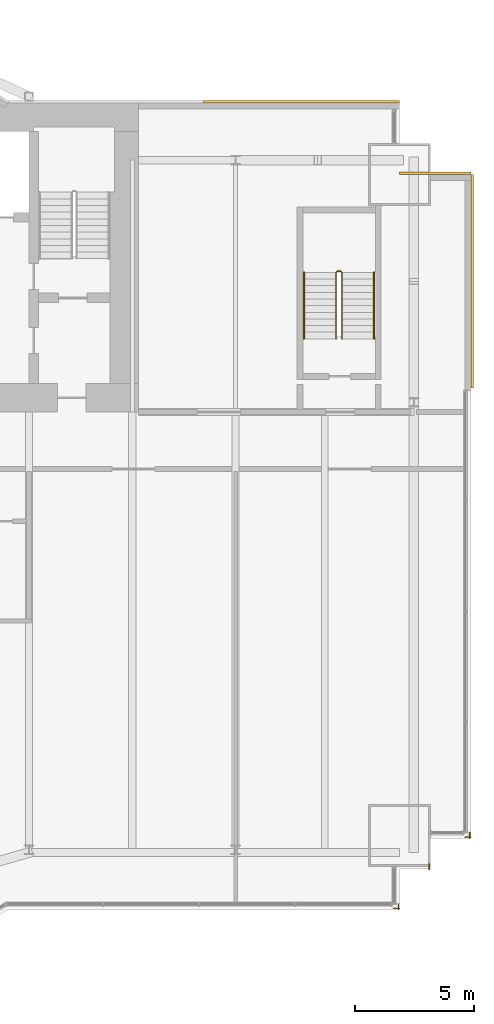
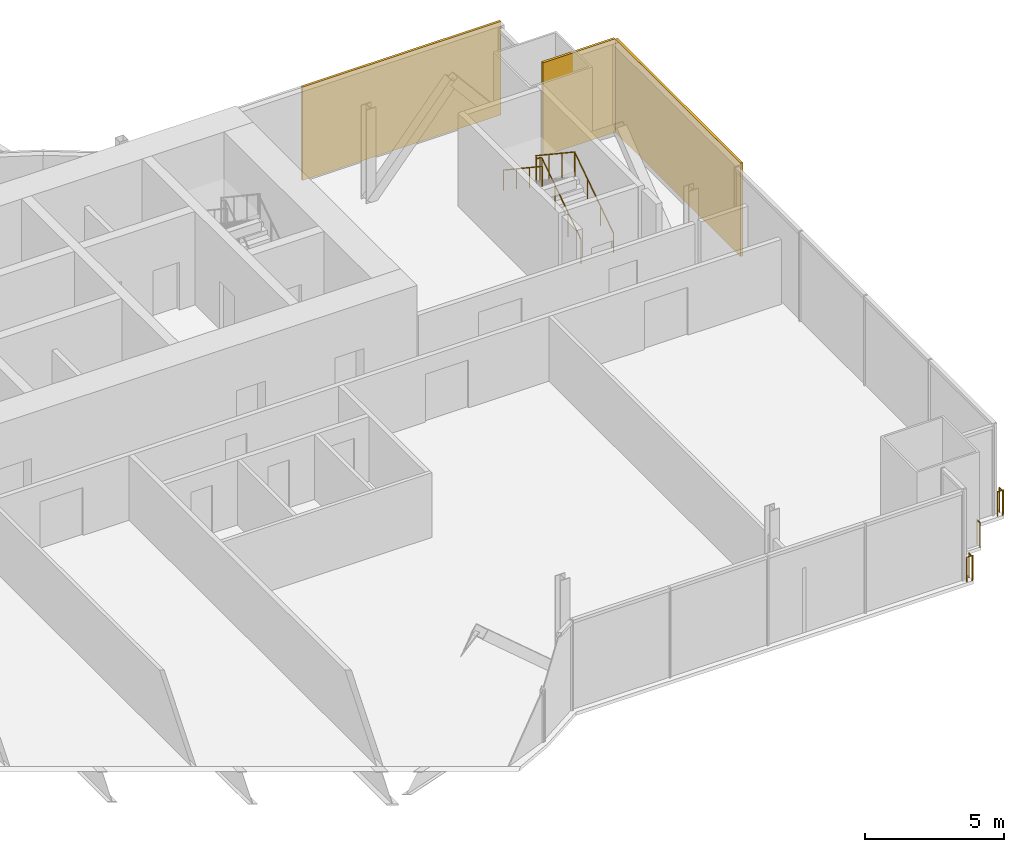
# One storey, part 20 of 20: 6 railings, 3 coverings.
"""IFC4 building model written with IfcOpenShell, lengths in metres."""

from ifc_helpers import new_model, si_unit, direction, frame, origin, origin_2d, place, context, subcontext, project, spatial, rectangle, circle, extrude, material, layer, layer_set, type_object, element, save


model = new_model("IFC4")

# Units and contexts
model_context = context("Model", 3, precision=1e-05, world=origin(), true_north=direction((0.0, 1.0)))
body_context = subcontext(model_context, "Body", "Model", "MODEL_VIEW")
ifc_project = project(units=[si_unit("LENGTHUNIT", "METRE"), si_unit("AREAUNIT", "SQUARE_METRE"), si_unit("VOLUMEUNIT", "CUBIC_METRE"), si_unit("PLANEANGLEUNIT", "RADIAN"), si_unit("MASSUNIT", "GRAM", prefix="KILO")], contexts=[model_context])

# Site, building, storey
site_placement = place(None, origin())
site = spatial("IfcSite", under=ifc_project, at=site_placement, CompositionType="ELEMENT")
building_placement = place(site_placement, origin())
building = spatial("IfcBuilding", under=site, at=building_placement, Name="Bicima Exchange Tower", CompositionType="ELEMENT")
storey_placement = place(building_placement, frame((0.0, 0.0, 177.300048828125)))
storey = spatial("IfcBuildingStorey", under=building, at=storey_placement, Name="L39", CompositionType="ELEMENT", Elevation=177.300048828125)

# Coverings
ifc_material_1 = material(Name="Bronze metal cladding")
ifc_layer_1 = layer(ifc_material_1, 0.004)
ifc_material_2 = material(Name="Ventilated cavity")
ifc_layer_2 = layer(ifc_material_2, 0.06)
ifc_material_3 = material(Name="Galvanised steel rail and mineral wool", Category="steel")
ifc_layer_3 = layer(ifc_material_3, 0.036)
ifc_layer_set = layer_set([ifc_layer_1, ifc_layer_2, ifc_layer_3], Name="Ventilated cavity")
covering_type = type_object("IfcCoveringType", Name="Bronze metal cladding panel 100", PredefinedType="CLADDING", material=ifc_layer_set)
covering_1_placement = place(storey_placement, frame((28.875, 0.050048828125, -0.150146484375), z_axis=(0.0, 0.0, 1.0), x_axis=(-1.0, 0.0, 0.0)))
element("IfcCovering", 1, at=covering_1_placement, inside=storey, type_object=covering_type, Name="Bronze cladding L39 1.1", PredefinedType="CLADDING", context=body_context, shape_type="SweptSolid", body=[
    extrude(rectangle(XDim=8.25, YDim=0.10009765625, at=origin_2d()), origin(), (0.0, 0.0, 1.0), 4.10009765625),
])
covering_2_placement = place(storey_placement, frame((36.050048828125, -7.5, -0.150146484375), z_axis=(0.0, 0.0, 1.0), x_axis=(0.0, 1.0, 0.0)))
element("IfcCovering", 2, at=covering_2_placement, inside=storey, type_object=covering_type, Name="Bronze cladding L39 50.1", PredefinedType="CLADDING", context=body_context, shape_type="SweptSolid", body=[
    extrude(rectangle(XDim=9.0, YDim=0.10009765625, at=origin_2d()), origin(), (0.0, 0.0, 1.0), 4.10009765625),
])
covering_3_placement = place(storey_placement, frame((34.5, -2.949951171875, -0.150146484375), z_axis=(0.0, 0.0, 1.0), x_axis=(-1.0, 0.0, 0.0)))
element("IfcCovering", 3, at=covering_3_placement, inside=storey, type_object=covering_type, Name="Bronze cladding L39 51.1", PredefinedType="CLADDING", context=body_context, shape_type="SweptSolid", body=[
    extrude(rectangle(XDim=3.0, YDim=0.10009765625, at=origin_2d()), origin(), (0.0, 0.0, 1.0), 4.10009765625),
])

# Railings
ifc_material_4 = material(Name="Stainless steel and bonded safety glass", Category="steel")
railing_type_1 = type_object("IfcRailingType", Name="Edge guard 1100", PredefinedType="GUARDRAIL", material=ifc_material_4)
railing_1_placement = place(storey_placement, frame((35.949951171875, -30.697998046875, 0.0)))
element("IfcRailing", 4, at=railing_1_placement, inside=storey, type_object=railing_type_1, Name="Edge guard L39 198", PredefinedType="GUARDRAIL", context=body_context, shape_type="SweptSolid", body=[
    extrude(circle(Radius=0.02392578125, at=origin_2d()), frame((0.0, 0.0, 1.076171875), z_axis=(0.0, -1.0, 0.0), x_axis=(1.0, 0.0, 0.0)), (0.0, 0.0, 1.0), 0.25),
    extrude(circle(Radius=0.02392578125, at=origin_2d()), frame((0.0, -0.25, 1.076171875), z_axis=(0.707106781187, 0.707106781187, 0.0), x_axis=(-0.707106781187, 0.707106781187, 0.0)), (0.0, 0.0, 1.0), 0.07080078125),
    extrude(circle(Radius=0.02392578125, at=origin_2d()), frame((0.050048828125, -0.199951171875, 1.076171875), z_axis=(-1.0, 0.0, 0.0), x_axis=(0.0, -1.0, 0.0)), (0.0, 0.0, 1.0), 0.242919921875),
    extrude(circle(Radius=0.02099609375, at=origin_2d()), origin(), (0.0, 0.0, 1.0), 1.052001953125),
    extrude(circle(Radius=0.02099609375, at=origin_2d()), frame((0.0, -0.25, 0.0)), (0.0, 0.0, 1.0), 1.052001953125),
    extrude(circle(Radius=0.02099609375, at=origin_2d()), frame((0.050048828125, -0.199951171875, 0.0)), (0.0, 0.0, 1.0), 1.052001953125),
    extrude(circle(Radius=0.02099609375, at=origin_2d()), frame((-0.19287109375, -0.199951171875, 0.0)), (0.0, 0.0, 1.0), 1.052001953125),
])
railing_2_placement = place(storey_placement, frame((34.25, -32.031005859375, 0.0)))
element("IfcRailing", 5, at=railing_2_placement, inside=storey, type_object=railing_type_1, Name="Edge guard L39 199", PredefinedType="GUARDRAIL", context=body_context, shape_type="SweptSolid", body=[
    extrude(circle(Radius=0.02392578125, at=origin_2d()), frame((0.0, 0.0, 1.076171875), z_axis=(0.0, -1.0, 0.0), x_axis=(1.0, 0.0, 0.0)), (0.0, 0.0, 1.0), 0.217041015625),
    extrude(circle(Radius=0.02099609375, at=origin_2d()), origin(), (0.0, 0.0, 1.0), 1.052001953125),
    extrude(circle(Radius=0.02099609375, at=origin_2d()), frame((0.0, -0.217041015625, 0.0)), (0.0, 0.0, 1.0), 1.052001953125),
])
railing_3_placement = place(storey_placement, frame((32.949951171875, -33.705078125, 0.0)))
element("IfcRailing", 6, at=railing_3_placement, inside=storey, type_object=railing_type_1, Name="Edge guard L39 200", PredefinedType="GUARDRAIL", context=body_context, shape_type="SweptSolid", body=[
    extrude(circle(Radius=0.02392578125, at=origin_2d()), frame((0.0, 0.0, 1.076171875), z_axis=(0.0, -1.0, 0.0), x_axis=(1.0, 0.0, 0.0)), (0.0, 0.0, 1.0), 0.242919921875),
    extrude(circle(Radius=0.02392578125, at=origin_2d()), frame((0.0, -0.242919921875, 1.076171875), z_axis=(0.707106781187, 0.707106781187, 0.0), x_axis=(-0.707106781187, 0.707106781187, 0.0)), (0.0, 0.0, 1.0), 0.07080078125),
    extrude(circle(Radius=0.02392578125, at=origin_2d()), frame((0.050048828125, -0.19287109375, 1.076171875), z_axis=(-1.0, 0.0, 0.0), x_axis=(0.0, -1.0, 0.0)), (0.0, 0.0, 1.0), 0.25),
    extrude(circle(Radius=0.02099609375, at=origin_2d()), origin(), (0.0, 0.0, 1.0), 1.052001953125),
    extrude(circle(Radius=0.02099609375, at=origin_2d()), frame((0.0, -0.242919921875, 0.0)), (0.0, 0.0, 1.0), 1.052001953125),
    extrude(circle(Radius=0.02099609375, at=origin_2d()), frame((0.050048828125, -0.19287109375, 0.0)), (0.0, 0.0, 1.0), 1.052001953125),
    extrude(circle(Radius=0.02099609375, at=origin_2d()), frame((-0.199951171875, -0.19287109375, 0.0)), (0.0, 0.0, 1.0), 1.052001953125),
])
ifc_material_5 = material(Name="Stainless steel", Category="steel")
railing_type_2 = type_object("IfcRailingType", Name="Stair guard 1100", PredefinedType="GUARDRAIL", material=ifc_material_5)
railing_4_placement = place(storey_placement, frame((30.574951171875, -9.925048828125, 0.186279296875)))
element("IfcRailing", 7, at=railing_4_placement, inside=storey, type_object=railing_type_2, Name="L39 ST-EE stair guard 1", PredefinedType="GUARDRAIL", context=body_context, shape_type="SweptSolid", body=[
    extrude(circle(Radius=0.02392578125, at=origin_2d()), frame((0.0, 0.0, 1.076171875), z_axis=(0.0, 0.832452072856, 0.554097055034), x_axis=(-1.0, 0.0, 0.0)), (0.0, 0.0, 1.0), 3.363525390625),
    extrude(circle(Radius=0.02392578125, at=origin_2d()), frame((0.0, 2.800048828125, 2.93994140625), z_axis=(-0.707106781187, 0.707106781187, 0.0), x_axis=(-0.707106781187, -0.707106781187, 0.0)), (0.0, 0.0, 1.0), 0.07080078125),
    extrude(circle(Radius=0.02392578125, at=origin_2d()), frame((-0.050048828125, 2.85009765625, 2.93994140625), z_axis=(-1.0, 0.0, 0.0), x_axis=(0.0, -1.0, 0.0)), (0.0, 0.0, 1.0), 0.14990234375),
    extrude(circle(Radius=0.02392578125, at=origin_2d()), frame((-0.199951171875, 2.85009765625, 2.93994140625), z_axis=(-0.251157038772, -0.251157038772, 0.934794246747), x_axis=(0.707106781187, -0.707106781187, 0.0)), (0.0, 0.0, 1.0), 0.19921875),
    extrude(circle(Radius=0.02392578125, at=origin_2d()), frame((-0.25, 2.800048828125, 3.1259765625), z_axis=(0.0, -0.832485552168, 0.554046753832), x_axis=(1.0, 0.0, 0.0)), (0.0, 0.0, 1.0), 3.363525390625),
    extrude(circle(Radius=0.02099609375, at=origin_2d()), origin(), (0.0, 0.0, 1.0), 1.052001953125),
    extrude(circle(Radius=0.02099609375, at=origin_2d()), frame((0.0, 0.933349609375, 0.621337890625)), (0.0, 0.0, 1.0), 1.052001953125),
    extrude(circle(Radius=0.02099609375, at=origin_2d()), frame((0.0, 1.86669921875, 1.242431640625)), (0.0, 0.0, 1.0), 1.052001953125),
    extrude(circle(Radius=0.02099609375, at=origin_2d()), frame((0.0, 2.800048828125, 1.86376953125)), (0.0, 0.0, 1.0), 1.052001953125),
    extrude(circle(Radius=0.02099609375, at=origin_2d()), frame((-0.050048828125, 2.85009765625, 1.86376953125)), (0.0, 0.0, 1.0), 1.052001953125),
    extrude(circle(Radius=0.02099609375, at=origin_2d()), frame((-0.199951171875, 2.85009765625, 1.86376953125)), (0.0, 0.0, 1.0), 1.052001953125),
    extrude(circle(Radius=0.02099609375, at=origin_2d()), frame((-0.25, 2.800048828125, 2.050048828125)), (0.0, 0.0, 1.0), 1.052001953125),
    extrude(circle(Radius=0.02099609375, at=origin_2d()), frame((-0.25, 1.86669921875, 2.671142578125)), (0.0, 0.0, 1.0), 1.052001953125),
    extrude(circle(Radius=0.02099609375, at=origin_2d()), frame((-0.25, 0.933349609375, 3.29248046875)), (0.0, 0.0, 1.0), 1.052001953125),
    extrude(circle(Radius=0.02099609375, at=origin_2d()), frame((-0.25, 0.0, 3.91357421875)), (0.0, 0.0, 1.0), 1.052001953125),
])
railing_type_3 = type_object("IfcRailingType", Name="Stair handrail 900", PredefinedType="HANDRAIL", material=ifc_material_5)
railing_5_placement = place(storey_placement, frame((31.925048828125, -9.925048828125, 0.186279296875)))
element("IfcRailing", 8, at=railing_5_placement, inside=storey, type_object=railing_type_3, Name="L39 ST-EE stair handrail 1", PredefinedType="HANDRAIL", context=body_context, shape_type="SweptSolid", body=[
    extrude(circle(Radius=0.02392578125, at=origin_2d()), frame((0.0, 0.0, 0.8759765625), z_axis=(0.0, 0.832452072856, 0.554097055034), x_axis=(-1.0, 0.0, 0.0)), (0.0, 0.0, 1.0), 3.363525390625),
    extrude(circle(Radius=0.02099609375, at=origin_2d()), origin(), (0.0, 0.0, 1.0), 0.851806640625),
    extrude(circle(Radius=0.02099609375, at=origin_2d()), frame((0.0, 0.933349609375, 0.621337890625)), (0.0, 0.0, 1.0), 0.851806640625),
    extrude(circle(Radius=0.02099609375, at=origin_2d()), frame((0.0, 1.86669921875, 1.242431640625)), (0.0, 0.0, 1.0), 0.851806640625),
    extrude(circle(Radius=0.02099609375, at=origin_2d()), frame((0.0, 2.800048828125, 1.86376953125)), (0.0, 0.0, 1.0), 0.851806640625),
])
railing_6_placement = place(storey_placement, frame((28.97509765625, -7.125, 2.276611328125)))
element("IfcRailing", 9, at=railing_6_placement, inside=storey, type_object=railing_type_3, Name="L39 ST-EE stair handrail 2", PredefinedType="HANDRAIL", context=body_context, shape_type="SweptSolid", body=[
    extrude(circle(Radius=0.02392578125, at=origin_2d()), frame((0.0, 0.0, 0.8759765625), z_axis=(0.0, -0.832452072856, 0.554097055034), x_axis=(1.0, 0.0, 0.0)), (0.0, 0.0, 1.0), 3.363525390625),
    extrude(circle(Radius=0.02099609375, at=origin_2d()), origin(), (0.0, 0.0, 1.0), 0.851806640625),
    extrude(circle(Radius=0.02099609375, at=origin_2d()), frame((0.0, -0.933349609375, 0.621337890625)), (0.0, 0.0, 1.0), 0.851806640625),
    extrude(circle(Radius=0.02099609375, at=origin_2d()), frame((0.0, -1.86669921875, 1.242431640625)), (0.0, 0.0, 1.0), 0.851806640625),
    extrude(circle(Radius=0.02099609375, at=origin_2d()), frame((0.0, -2.800048828125, 1.86376953125)), (0.0, 0.0, 1.0), 0.851806640625),
])

save(model, "model.ifc")
